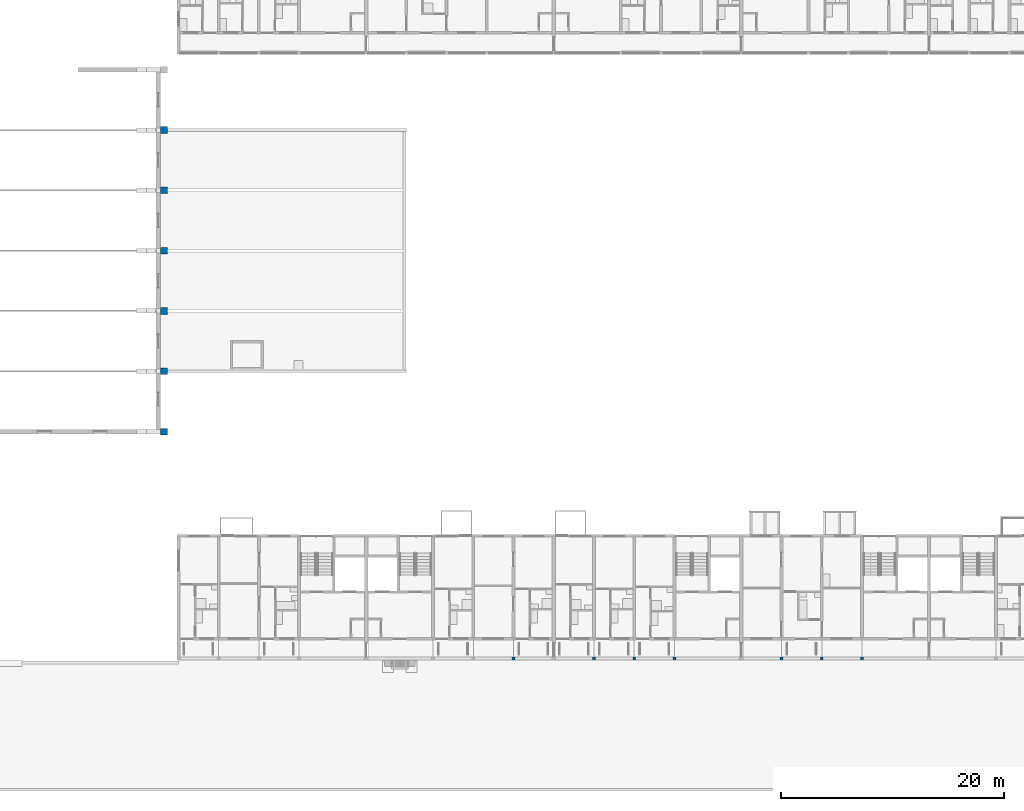
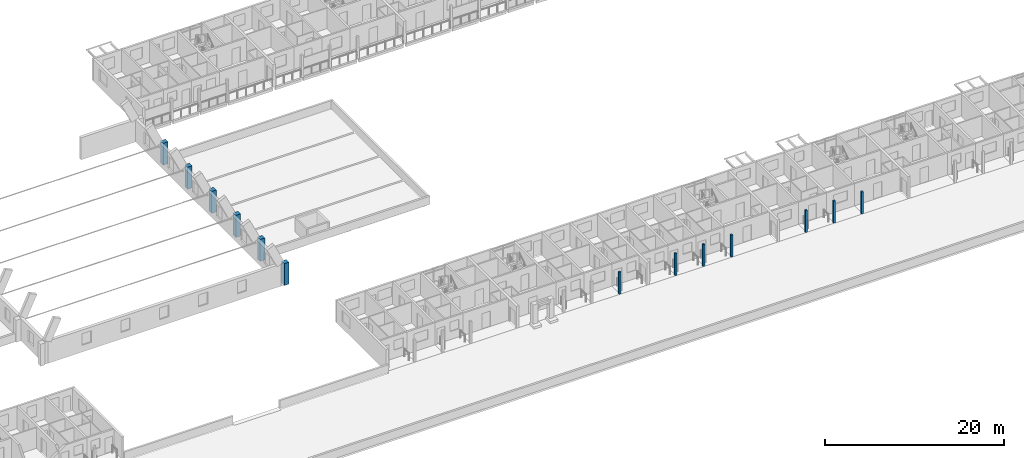
# One storey, part 6 of 115: 13 columns.
"""IFC4 building model written with IfcOpenShell, lengths in metres."""

from ifc_helpers import new_model, si_unit, direction, frame, origin, origin_2d, place, context, subcontext, project, spatial, rectangle, extrude, material, material_profile, profile_set, type_object, element, save


model = new_model("IFC4")

# Units and contexts
model_context = context("Model", 3, precision=1e-05, world=origin(), true_north=direction((0.0, 1.0)))
body_context = subcontext(model_context, "Body", "Model", "MODEL_VIEW")
ifc_project = project(units=[si_unit("LENGTHUNIT", "METRE"), si_unit("AREAUNIT", "SQUARE_METRE"), si_unit("VOLUMEUNIT", "CUBIC_METRE"), si_unit("PLANEANGLEUNIT", "RADIAN"), si_unit("MASSUNIT", "GRAM", prefix="KILO")], contexts=[model_context])

# Site, building, storey
site_placement = place(None, origin())
site = spatial("IfcSite", under=ifc_project, at=site_placement, CompositionType="ELEMENT")
building_placement = place(site_placement, origin())
building = spatial("IfcBuilding", under=site, at=building_placement, Name="Ridgestep Commons", CompositionType="ELEMENT")
storey_placement = place(building_placement, frame((0.0, 0.0, 6.0)))
storey = spatial("IfcBuildingStorey", under=building, at=storey_placement, Name="L02", CompositionType="ELEMENT", Elevation=6.0)

# Columns
ifc_material_1 = material(Name="Precast concrete C40/50", Category="concrete")
ifc_material_profile_1 = material_profile(ifc_material_1, rectangle(XDim=0.60009765625, YDim=0.60009765625, at=origin_2d()), Name="Buttress pier 600 x 600")
ifc_profile_set_1 = profile_set([ifc_material_profile_1], Name="Precast concrete C40/50")
column_type_1 = type_object("IfcColumnType", Name="Buttress pier 600 x 600", PredefinedType="COLUMN", material=ifc_profile_set_1)
for number, where, z_axis, x_axis, name in (
    (1, (145.5, 32.199951171875, 0.0), (0.0, 0.0, 1.0), (1.0, 0.0, 0.0), "Hall vault buttress pier"),
    (2, (145.5, 37.60009765625, 0.0), (0.0, 0.0, 1.0), (1.0, 0.0, 0.0), "Hall vault buttress pier"),
    (3, (145.5, 43.0, 0.0), (0.0, 0.0, 1.0), (1.0, 0.0, 0.0), "Hall vault buttress pier"),
    (4, (145.5, 48.39990234375, 0.0), (0.0, 0.0, 1.0), (1.0, 0.0, 0.0), "Hall vault buttress pier"),
    (5, (145.5, 53.800048828125, 0.0), (0.0, 0.0, 1.0), (1.0, 0.0, 0.0), "Hall vault buttress pier"),
    (6, (145.5, 59.199951171875, 0.0), (0.0, 0.0, 1.0), (1.0, 0.0, 0.0), "Hall vault buttress pier"),
):
    element("IfcColumn", number, at=place(storey_placement, frame(where, z_axis=z_axis, x_axis=x_axis)), inside=storey, type_object=column_type_1, Name=name, PredefinedType="COLUMN", context=body_context, shape_type="SweptSolid", body=[
        extrude(rectangle(XDim=0.60009765625, YDim=0.60009765625, at=origin_2d()), origin(), (0.0, 0.0, 1.0), 3.0),
    ])
ifc_material_2 = material(Name="Precast concrete C40/50", Category="concrete")
ifc_material_profile_2 = material_profile(ifc_material_2, rectangle(XDim=0.25, YDim=0.25, at=origin_2d()), Name="PC 250x250")
ifc_profile_set_2 = profile_set([ifc_material_profile_2], Name="Precast concrete C40/50")
column_type_2 = type_object("IfcColumnType", Name="Loggia column 250 x 250", PredefinedType="COLUMN", material=ifc_profile_set_2)
for number, where, z_axis, x_axis, name in (
    (7, (176.800048828125, 11.875, 0.0), (0.0, 0.0, 1.0), (1.0, 0.0, 0.0), "Loggia column D L02"),
    (8, (184.0, 11.875, 0.0), (0.0, 0.0, 1.0), (1.0, 0.0, 0.0), "Loggia column D L02"),
    (9, (187.60009765625, 11.875, 0.0), (0.0, 0.0, 1.0), (1.0, 0.0, 0.0), "Loggia column D L02"),
    (10, (191.199951171875, 11.875, 0.0), (0.0, 0.0, 1.0), (1.0, 0.0, 0.0), "Loggia column D L02"),
    (11, (200.800048828125, 11.875, 0.0), (0.0, 0.0, 1.0), (1.0, 0.0, 0.0), "Loggia column D L02"),
    (12, (204.39990234375, 11.875, 0.0), (0.0, 0.0, 1.0), (1.0, 0.0, 0.0), "Loggia column D L02"),
    (13, (208.0, 11.875, 0.0), (0.0, 0.0, 1.0), (1.0, 0.0, 0.0), "Loggia column D L02"),
):
    element("IfcColumn", number, at=place(storey_placement, frame(where, z_axis=z_axis, x_axis=x_axis)), inside=storey, type_object=column_type_2, Name=name, PredefinedType="COLUMN", context=body_context, shape_type="SweptSolid", body=[
        extrude(rectangle(XDim=0.25, YDim=0.25, at=origin_2d()), origin(), (0.0, 0.0, 1.0), 3.0),
    ])

save(model, "model.ifc")
